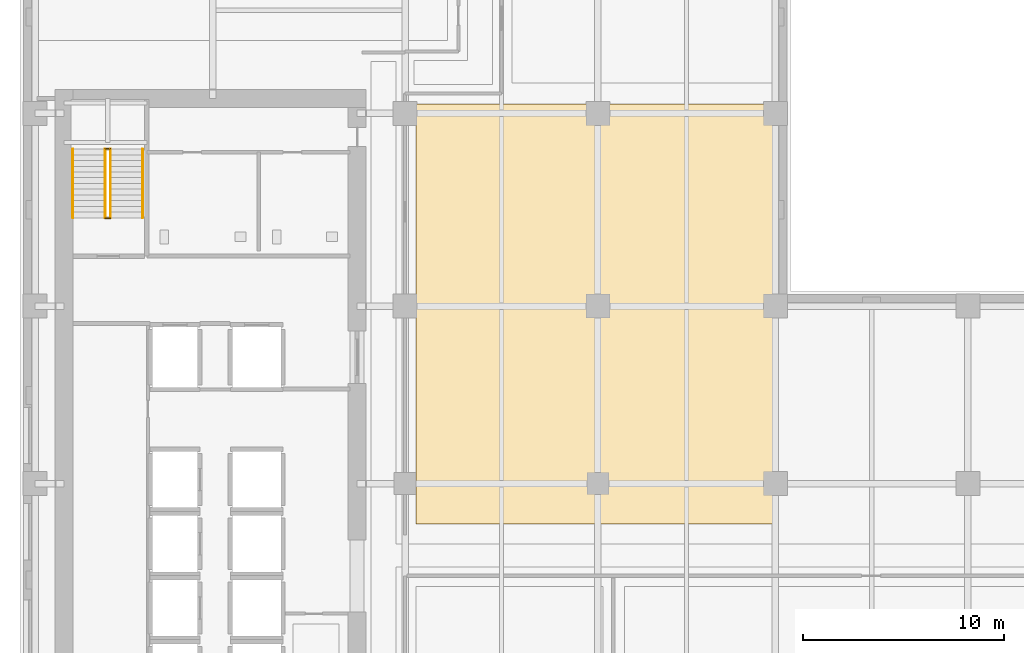
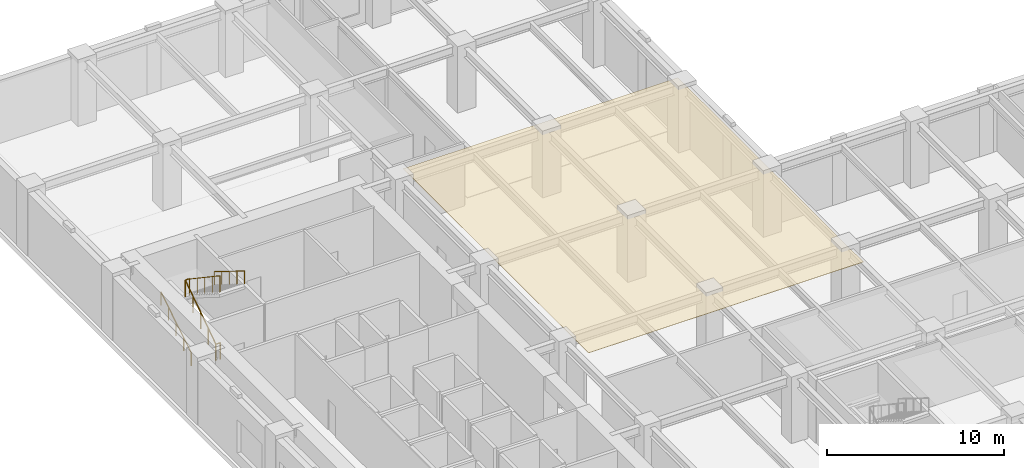
# One storey, part 19 of 21: 6 railings, 1 covering.
"""IFC4 building model written with IfcOpenShell, lengths in metres."""

import ifcopenshell
import ifcopenshell.guid

model = None  # the IFC model being written
_history = None  # IfcOwnerHistory: only IFC2X3 demands one
_inside = {}  # id of a spatial element -> (the spatial element, [elements in it])
_under = {}  # id of a project, library or spatial element -> (it, [spatial elements below it])
_declared = {}  # id of a project -> (the project, [libraries it declares])
_typed = {}  # id of a type object -> (the type object, [elements of that type])
_made_of = {}  # id of a material, layer set ... -> (it, [elements and type objects made of it])


def new_model(schema):
    """Start an empty IFC model of exactly this schema.

    Asked for "IFC4X3", IfcOpenShell would pick the latest addendum, in which some entities
    have other attributes; the version numbers below select the first issue.
    IFC2X3 requires an IfcOwnerHistory on every rooted entity: one is made here for all.
    """
    global model, _history
    if schema == "IFC4X3":
        model = ifcopenshell.file(schema_version=(4, 3, 0, 0))
    else:
        model = ifcopenshell.file(schema=schema)
    _inside.clear()
    _under.clear()
    _declared.clear()
    _typed.clear()
    _made_of.clear()
    _history = None
    if model.schema == "IFC2X3":
        org = make("IfcOrganization", Name="unknown")
        user = make(
            "IfcPersonAndOrganization",
            ThePerson=make("IfcPerson", FamilyName="unknown"),
            TheOrganization=org,
        )
        app = make(
            "IfcApplication",
            ApplicationDeveloper=org,
            Version="unknown",
            ApplicationFullName="unknown",
            ApplicationIdentifier="unknown",
        )
        _history = make(
            "IfcOwnerHistory",
            OwningUser=user,
            OwningApplication=app,
            ChangeAction="ADDED",
            CreationDate=0,
        )
    return model


def make(cls, **values):
    """One entity of the class cls with the attributes given. An attribute that is None is left unset."""
    return model.create_entity(
        cls, **{name: value for name, value in values.items() if value is not None}
    )


def rooted(cls, **values):
    """An entity with a GlobalId (a new one), such as an element, a storey or a relation."""
    return make(cls, GlobalId=ifcopenshell.guid.new(), OwnerHistory=_history, **values)


def si_unit(unit_type, name, prefix=None):
    """IfcSIUnit, for example si_unit("LENGTHUNIT", "METRE", prefix="MILLI")."""
    return make("IfcSIUnit", UnitType=unit_type, Prefix=prefix, Name=name)


def assignment(units):
    """IfcUnitAssignment: the units of a project."""
    return None if units is None else make("IfcUnitAssignment", Units=units)


def point(xyz):
    """IfcCartesianPoint."""
    return None if xyz is None else make("IfcCartesianPoint", Coordinates=xyz)


def direction(xyz):
    """IfcDirection."""
    return None if xyz is None else make("IfcDirection", DirectionRatios=xyz)


def frame(location, z_axis=None, x_axis=None):
    """IfcAxis2Placement3D, a coordinate frame: its origin and axes. An axis left out is left unset."""
    return make(
        "IfcAxis2Placement3D",
        Location=point(location),
        Axis=direction(z_axis),
        RefDirection=direction(x_axis),
    )


def frame_2d(location, x_axis=None):
    """IfcAxis2Placement2D, a coordinate frame in the plane: its origin and x axis."""
    return make(
        "IfcAxis2Placement2D", Location=point(location), RefDirection=direction(x_axis)
    )


def origin():
    """The frame at (0, 0, 0) with its axes left unset."""
    return frame((0.0, 0.0, 0.0))


def origin_2d():
    """The frame at (0, 0) in the plane with its x axis left unset."""
    return frame_2d((0.0, 0.0))


def place(relative_to, where):
    """IfcLocalPlacement: puts the frame where relative to a parent placement (None: the world)."""
    return make(
        "IfcLocalPlacement", PlacementRelTo=relative_to, RelativePlacement=where
    )


def context(
    kind, dimensions, precision=None, world=None, true_north=None, identifier=None
):
    """IfcGeometricRepresentationContext, for example the 3D "Model" context."""
    return make(
        "IfcGeometricRepresentationContext",
        ContextIdentifier=identifier,
        ContextType=kind,
        CoordinateSpaceDimension=dimensions,
        Precision=precision,
        WorldCoordinateSystem=world,
        TrueNorth=true_north,
    )


def subcontext(parent, identifier, kind, view, scale=None):
    """IfcGeometricRepresentationSubContext, for example "Body" below "Model"."""
    return make(
        "IfcGeometricRepresentationSubContext",
        ContextIdentifier=identifier,
        ContextType=kind,
        ParentContext=parent,
        TargetScale=scale,
        TargetView=view,
    )


def project(units=None, contexts=None):
    """IfcProject with its units and contexts."""
    return rooted(
        "IfcProject",
        Name="project",
        RepresentationContexts=contexts,
        UnitsInContext=assignment(units),
    )


def spatial(cls, under=None, at=None, **own):
    """A site, building, storey or space (cls), placed at a placement, below another one or the project."""
    s = rooted(cls, ObjectPlacement=at, **own)
    if under is not None:
        _under.setdefault(under.id(), (under, []))[1].append(s)
    return s


def polyline(points):
    """IfcPolyline through the points."""
    return make("IfcPolyline", Points=[point(p) for p in points])


def profile(cls, at=None, kind="AREA", **sizes):
    """A parametric profile (cls). Its sizes go by their IFC names, for example OverallWidth=200.0."""
    return make(cls, ProfileType=kind, Position=at, **sizes)


def circle(**sizes):
    """IfcCircleProfileDef."""
    return profile("IfcCircleProfileDef", **sizes)


def outline(outer, holes=None, kind="AREA"):
    """IfcArbitraryClosedProfileDef: a profile drawn as a closed curve; with holes, ...WithVoids."""
    if holes is None:
        return make("IfcArbitraryClosedProfileDef", ProfileType=kind, OuterCurve=outer)
    return make(
        "IfcArbitraryProfileDefWithVoids",
        ProfileType=kind,
        OuterCurve=outer,
        InnerCurves=holes,
    )


def extrude(swept, where, along, depth):
    """IfcExtrudedAreaSolid: the profile swept, set in the frame where, extruded along a direction by depth."""
    return make(
        "IfcExtrudedAreaSolid",
        SweptArea=swept,
        Position=where,
        ExtrudedDirection=direction(along),
        Depth=depth,
    )


def shape(context_of_items, identifier, shape_type, items):
    """IfcShapeRepresentation: the items that make up one representation, for example the "Body"."""
    return make(
        "IfcShapeRepresentation",
        ContextOfItems=context_of_items,
        RepresentationIdentifier=identifier,
        RepresentationType=shape_type,
        Items=items,
    )


def material(Name=None, Category=None):
    """IfcMaterial."""
    return make("IfcMaterial", Name=Name, Category=Category)


def layer(
    of_material, thickness, ventilated=None, Name=None, Category=None, Priority=None
):
    """IfcMaterialLayer: one layer of a wall or slab, of a material (None: an air gap)."""
    return make(
        "IfcMaterialLayer",
        Material=of_material,
        LayerThickness=thickness,
        IsVentilated=ventilated,
        Name=Name,
        Category=Category,
        Priority=Priority,
    )


def layer_set(layers, Name=None):
    """IfcMaterialLayerSet."""
    return make("IfcMaterialLayerSet", MaterialLayers=layers, LayerSetName=Name)


def made_of(thing, what):
    """Note that an element or type object is made of a material, layer set ...; save() writes the relation."""
    if what is not None:
        _made_of.setdefault(what.id(), (what, []))[1].append(thing)
    return thing


def type_object(cls, material=None, **own):
    """A type object (cls), such as IfcWallType, which elements share."""
    return made_of(rooted(cls, **own), material)


def element(
    cls,
    number,
    at=None,
    inside=None,
    cuts=None,
    type_object=None,
    material=None,
    context=None,
    identifier="Body",
    shape_type=None,
    held_by="IfcProductDefinitionShape",
    body=None,
    shapes=None,
    **own,
):
    """One element of the class cls, such as IfcWall. Its Tag is "e" and its number.

    at: its placement. inside: the storey or other place that contains it. cuts: it is an
    opening in that element (IfcRelVoidsElement). A single representation is given by context,
    identifier, shape_type and body (its items); several are given by shapes. held_by: the class
    of the entity that holds the representations. save() writes the other relations.
    """
    e = rooted(cls, Tag="e%d" % number, ObjectPlacement=at, **own)
    if body is not None:
        shapes = [shape(context, identifier, shape_type, body)]
    if shapes is not None:
        e.Representation = make(held_by, Representations=shapes)
    if inside is not None:
        _inside.setdefault(inside.id(), (inside, []))[1].append(e)
    if cuts is not None:
        rooted(
            "IfcRelVoidsElement", RelatingBuildingElement=cuts, RelatedOpeningElement=e
        )
    if type_object is not None:
        _typed.setdefault(type_object.id(), (type_object, []))[1].append(e)
    return made_of(e, material)


def aggregate(whole, parts):
    """IfcRelAggregates: a whole, such as a stair, and the parts it consists of."""
    return rooted("IfcRelAggregates", RelatingObject=whole, RelatedObjects=parts)


def save(model, path):
    """Write the relations noted so far, then the file.

    IfcRelAggregates (storeys below a building ...), IfcRelContainedInSpatialStructure (elements
    in a storey), IfcRelDefinesByType, IfcRelAssociatesMaterial and IfcRelDeclares: one each for
    every whole, place, type object, material and project.
    """
    for whole, parts in _under.values():
        aggregate(whole, parts)
    for where, things in _inside.values():
        rooted(
            "IfcRelContainedInSpatialStructure",
            RelatedElements=things,
            RelatingStructure=where,
        )
    for kind, things in _typed.values():
        rooted("IfcRelDefinesByType", RelatedObjects=things, RelatingType=kind)
    for what, things in _made_of.values():
        rooted("IfcRelAssociatesMaterial", RelatedObjects=things, RelatingMaterial=what)
    for by, libraries in _declared.values():
        rooted("IfcRelDeclares", RelatingContext=by, RelatedDefinitions=libraries)
    model.write(path)


model = new_model("IFC4")

# Units and contexts
model_context = context("Model", 3, precision=1e-05, world=origin(), true_north=direction((0.0, 1.0)))
body_context = subcontext(model_context, "Body", "Model", "MODEL_VIEW")
ifc_project = project(units=[si_unit("LENGTHUNIT", "METRE"), si_unit("AREAUNIT", "SQUARE_METRE"), si_unit("VOLUMEUNIT", "CUBIC_METRE"), si_unit("PLANEANGLEUNIT", "RADIAN"), si_unit("MASSUNIT", "GRAM", prefix="KILO")], contexts=[model_context])

# Site, building, storey
site_placement = place(None, origin())
site = spatial("IfcSite", under=ifc_project, at=site_placement, CompositionType="ELEMENT")
building_placement = place(site_placement, origin())
building = spatial("IfcBuilding", under=site, at=building_placement, Name="Norrvale University Quadrangle", CompositionType="ELEMENT")
storey_placement = place(building_placement, frame((0.0, 0.0, 19.60009765625)))
storey = spatial("IfcBuildingStorey", under=building, at=storey_placement, Name="L04", CompositionType="ELEMENT", Elevation=19.60009765625)

# Covering
ifc_material_1 = material(Name="Perforated Acoustic Mineral Ceiling")
ifc_layer = layer(ifc_material_1, 0.02490234375, Name="Perforated Acoustic Mineral Ceiling")
ifc_layer_set = layer_set([ifc_layer], Name="Perforated Acoustic Mineral Ceiling")
covering_type = type_object("IfcCoveringType", Name="Covering Acoustic Ceiling 25", PredefinedType="CEILING", material=ifc_layer_set)
covering_placement = place(storey_placement, frame((0.0, 0.0, 4.31494140625)))
element("IfcCovering", 1, at=covering_placement, inside=storey, type_object=covering_type, Name="Acoustic Ceiling RM-L04-MNE01", PredefinedType="CEILING", context=body_context, shape_type="SweptSolid", body=[
    extrude(outline(polyline([(19.72998046875, 47.719970703125), (37.64990234375, 47.719970703125), (37.64990234375, 26.780029296875), (19.72998046875, 26.780029296875), (19.72998046875, 47.719970703125)])), origin(), (0.0, 0.0, 1.0), 0.02490234375),
])

# Railings
ifc_material_2 = material(Name="Steel 350W Painted Balustrade", Category="steel")
railing_type_1 = type_object("IfcRailingType", Name="Railing Stair Guard 1100", PredefinedType="GUARDRAIL", material=ifc_material_2)
for number, where, name in (
    (2, (4.239990234375, 42.02001953125, 0.0), "Stair Floor Well Guard ST-02 L04"),
    (3, (4.239990234375, 45.5, 2.2998046875), "Stair Mid-Landing Slot Guard ST-02 L04"),
):
    element("IfcRailing", number, at=place(storey_placement, frame(where)), inside=storey, type_object=railing_type_1, Name=name, PredefinedType="GUARDRAIL", context=body_context, shape_type="SweptSolid", body=[
        extrude(circle(Radius=0.02392578125, at=origin_2d()), frame((0.0, 0.0, 1.1259765625), z_axis=(1.0, 0.0, 0.0), x_axis=(0.0, 1.0, 0.0)), (0.0, 0.0, 1.0), 0.27001953125),
        extrude(circle(Radius=0.02099609375, at=origin_2d()), origin(), (0.0, 0.0, 1.0), 1.101806640625),
        extrude(circle(Radius=0.02099609375, at=origin_2d()), frame((0.27001953125, 0.0, 0.0)), (0.0, 0.0, 1.0), 1.101806640625),
    ])
railing_1_placement = place(storey_placement, frame((4.239990234375, 42.050048828125, 0.0)))
element("IfcRailing", 4, at=railing_1_placement, inside=storey, type_object=railing_type_1, Name="Stair Lower Flight Inner Guard ST-02 L04", PredefinedType="GUARDRAIL", context=body_context, shape_type="SweptSolid", body=[
    extrude(circle(Radius=0.02392578125, at=origin_2d()), frame((0.0, 0.0, 1.1259765625), z_axis=(0.0, 0.829819867432, 0.558031350029), x_axis=(-1.0, 0.0, 0.0)), (0.0, 0.0, 1.0), 4.121337890625),
    extrude(circle(Radius=0.02099609375, at=origin_2d()), origin(), (0.0, 0.0, 1.0), 1.101806640625),
    extrude(circle(Radius=0.02099609375, at=origin_2d()), frame((0.0, 0.85498046875, 0.574951171875)), (0.0, 0.0, 1.0), 1.101806640625),
    extrude(circle(Radius=0.02099609375, at=origin_2d()), frame((0.0, 1.7099609375, 1.14990234375)), (0.0, 0.0, 1.0), 1.101806640625),
    extrude(circle(Radius=0.02099609375, at=origin_2d()), frame((0.0, 2.56494140625, 1.724853515625)), (0.0, 0.0, 1.0), 1.101806640625),
    extrude(circle(Radius=0.02099609375, at=origin_2d()), frame((0.0, 3.419921875, 2.2998046875)), (0.0, 0.0, 1.0), 1.101806640625),
])
railing_2_placement = place(storey_placement, frame((4.510009765625, 45.469970703125, 2.2998046875)))
element("IfcRailing", 5, at=railing_2_placement, inside=storey, type_object=railing_type_1, Name="Stair Upper Flight Inner Guard ST-02 L04", PredefinedType="GUARDRAIL", context=body_context, shape_type="SweptSolid", body=[
    extrude(circle(Radius=0.02392578125, at=origin_2d()), frame((0.0, 0.0, 1.1259765625), z_axis=(0.0, -0.8297924358, 0.55807214004), x_axis=(1.0, 0.0, 0.0)), (0.0, 0.0, 1.0), 4.121337890625),
    extrude(circle(Radius=0.02099609375, at=origin_2d()), origin(), (0.0, 0.0, 1.0), 1.101806640625),
    extrude(circle(Radius=0.02099609375, at=origin_2d()), frame((0.0, -0.85498046875, 0.574951171875)), (0.0, 0.0, 1.0), 1.101806640625),
    extrude(circle(Radius=0.02099609375, at=origin_2d()), frame((0.0, -1.7099609375, 1.14990234375)), (0.0, 0.0, 1.0), 1.101806640625),
    extrude(circle(Radius=0.02099609375, at=origin_2d()), frame((0.0, -2.56494140625, 1.72509765625)), (0.0, 0.0, 1.0), 1.101806640625),
    extrude(circle(Radius=0.02099609375, at=origin_2d()), frame((0.0, -3.419921875, 2.300048828125)), (0.0, 0.0, 1.0), 1.101806640625),
])
ifc_material_3 = material(Name="Stainless Steel 316L Handrail", Category="steel")
railing_type_2 = type_object("IfcRailingType", Name="Railing Stair Handrail 920", PredefinedType="HANDRAIL", material=ifc_material_3)
railing_3_placement = place(storey_placement, frame((2.639892578125, 42.050048828125, 0.1767578125)))
element("IfcRailing", 6, at=railing_3_placement, inside=storey, type_object=railing_type_2, Name="Stair Lower Flight Handrail ST-02 L04", PredefinedType="HANDRAIL", context=body_context, shape_type="SweptSolid", body=[
    extrude(circle(Radius=0.02392578125, at=origin_2d()), frame((0.0, 0.0, 0.89599609375), z_axis=(0.0, 0.849602680019, 0.527423251388), x_axis=(-1.0, 0.0, 0.0)), (0.0, 0.0, 1.0), 4.025390625),
    extrude(circle(Radius=0.02099609375, at=origin_2d()), origin(), (0.0, 0.0, 1.0), 0.871826171875),
    extrude(circle(Radius=0.02099609375, at=origin_2d()), frame((0.0, 0.85498046875, 0.53076171875)), (0.0, 0.0, 1.0), 0.871826171875),
    extrude(circle(Radius=0.02099609375, at=origin_2d()), frame((0.0, 1.7099609375, 1.0615234375)), (0.0, 0.0, 1.0), 0.871826171875),
    extrude(circle(Radius=0.02099609375, at=origin_2d()), frame((0.0, 2.56494140625, 1.59228515625)), (0.0, 0.0, 1.0), 0.871826171875),
    extrude(circle(Radius=0.02099609375, at=origin_2d()), frame((0.0, 3.419921875, 2.123046875)), (0.0, 0.0, 1.0), 0.871826171875),
])
railing_4_placement = place(storey_placement, frame((6.110107421875, 45.469970703125, 2.476806640625)))
element("IfcRailing", 7, at=railing_4_placement, inside=storey, type_object=railing_type_2, Name="Stair Upper Flight Handrail ST-02 L04", PredefinedType="HANDRAIL", context=body_context, shape_type="SweptSolid", body=[
    extrude(circle(Radius=0.02392578125, at=origin_2d()), frame((0.0, 0.0, 0.89599609375), z_axis=(0.0, -0.849602680019, 0.527423251388), x_axis=(1.0, 0.0, 0.0)), (0.0, 0.0, 1.0), 4.025390625),
    extrude(circle(Radius=0.02099609375, at=origin_2d()), origin(), (0.0, 0.0, 1.0), 0.871826171875),
    extrude(circle(Radius=0.02099609375, at=origin_2d()), frame((0.0, -0.85498046875, 0.53076171875)), (0.0, 0.0, 1.0), 0.871826171875),
    extrude(circle(Radius=0.02099609375, at=origin_2d()), frame((0.0, -1.7099609375, 1.0615234375)), (0.0, 0.0, 1.0), 0.871826171875),
    extrude(circle(Radius=0.02099609375, at=origin_2d()), frame((0.0, -2.56494140625, 1.59228515625)), (0.0, 0.0, 1.0), 0.871826171875),
    extrude(circle(Radius=0.02099609375, at=origin_2d()), frame((0.0, -3.419921875, 2.123046875)), (0.0, 0.0, 1.0), 0.871826171875),
])

save(model, "model.ifc")
